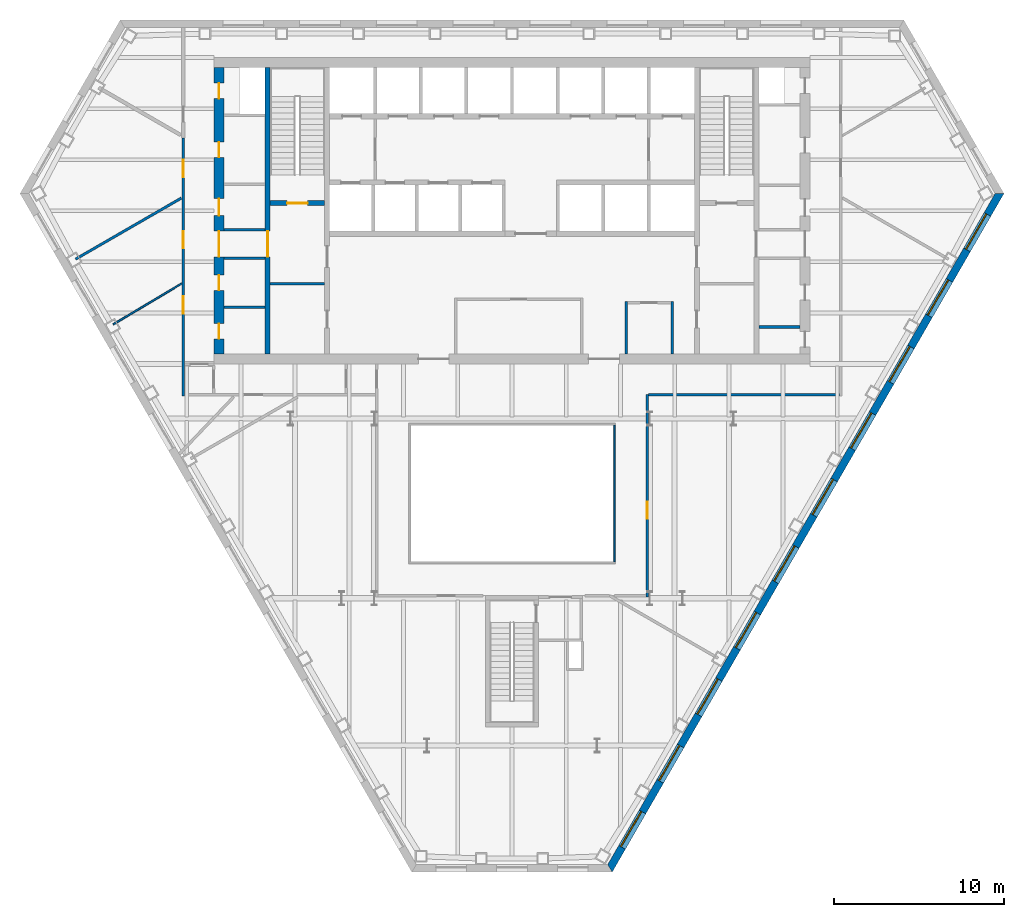
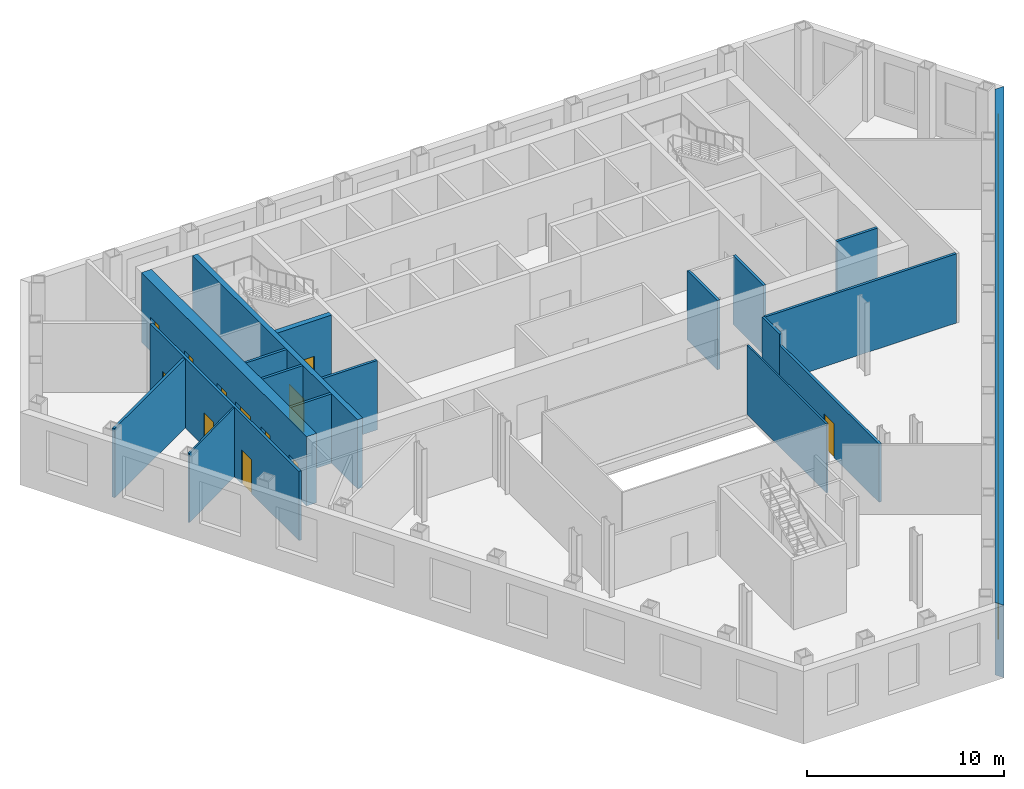
# One storey, part 5 of 11: 18 walls, 12 doors, 10 windows, 22 openings.
"""IFC4 building model written with IfcOpenShell, lengths in metres."""

from ifc_helpers import new_model, si_unit, direction, frame, frame_2d, origin, place, context, subcontext, project, spatial, polyline, rectangle, outline, extrude, material, layer, layer_set, type_object, element, fill, save


model = new_model("IFC4")

# Units and contexts
model_context = context("Model", 3, precision=1e-05, world=origin(), true_north=direction((0.0, 1.0)))
body_context = subcontext(model_context, "Body", "Model", "MODEL_VIEW")
ifc_project = project(units=[si_unit("LENGTHUNIT", "METRE"), si_unit("AREAUNIT", "SQUARE_METRE"), si_unit("VOLUMEUNIT", "CUBIC_METRE"), si_unit("PLANEANGLEUNIT", "RADIAN"), si_unit("MASSUNIT", "GRAM", prefix="KILO")], contexts=[model_context])

# Site, building, storey
site_placement = place(None, origin())
site = spatial("IfcSite", under=ifc_project, at=site_placement, CompositionType="ELEMENT")
building_placement = place(site_placement, origin())
building = spatial("IfcBuilding", under=site, at=building_placement, Name="Njiva Tower", CompositionType="ELEMENT")
storey_placement = place(building_placement, frame((0.0, 0.0, 37.8)))
storey = spatial("IfcBuildingStorey", under=building, at=storey_placement, Name="L07", CompositionType="ELEMENT", Elevation=37.8)

# Walls
ifc_material_1 = material(Name="Blockwork", Category="masonry")
ifc_layer_1 = layer(ifc_material_1, 0.15)
ifc_layer_set_1 = layer_set([ifc_layer_1], Name="Blockwork")
wall_type_1 = type_object("IfcWallType", Name="WT1 Compartment partition 150", PredefinedType="PARTITIONING", material=ifc_layer_set_1)
wall_1_placement = place(storey_placement, frame((-14.2, 4.725, 0.0), z_axis=(0.0, 0.0, 1.0), x_axis=(1.0, 0.0, 0.0)))
element("IfcWall", 1, at=wall_1_placement, inside=storey, type_object=wall_type_1, Name="Room wall A", PredefinedType="PARTITIONING", context=body_context, shape_type="SweptSolid", body=[
    extrude(rectangle(XDim=3.2, YDim=0.15, at=frame_2d((1.6, 0.0))), origin(), (0.0, 0.0, 1.0), 4.3),
])
for number, where, z_axis, x_axis, name in (
    (2, (-16.9, 3.3241, 0.0), (0.0, 0.0, 1.0), (1.0, 0.0, 0.0), "Partition strip W00"),
    (3, (14.5, 2.175, 0.0), (0.0, 0.0, 1.0), (1.0, 0.0, 0.0), "Partition strip E00"),
):
    element("IfcWall", number, at=place(storey_placement, frame(where, z_axis=z_axis, x_axis=x_axis)), inside=storey, type_object=wall_type_1, Name=name, PredefinedType="PARTITIONING", context=body_context, shape_type="SweptSolid", body=[
        extrude(rectangle(XDim=2.4, YDim=0.15, at=frame_2d((1.2, 0.0))), origin(), (0.0, 0.0, 1.0), 4.3),
    ])
for number, where, z_axis, x_axis, name in (
    (4, (6.7, 0.6, 0.0), (0.0, 0.0, 1.0), (0.0, 1.0, 0.0), "Tenant reception wall west"),
    (5, (9.4, 0.6, 0.0), (0.0, 0.0, 1.0), (0.0, 1.0, 0.0), "Tenant reception wall east"),
):
    element("IfcWall", number, at=place(storey_placement, frame(where, z_axis=z_axis, x_axis=x_axis)), inside=storey, type_object=wall_type_1, Name=name, PredefinedType="PARTITIONING", context=body_context, shape_type="SweptSolid", body=[
        extrude(rectangle(XDim=3.075, YDim=0.15, at=frame_2d((1.5375, 0.0))), origin(), (0.0, 0.0, 1.0), 4.3),
    ])

# Wall, opening, door
ifc_material_2 = material(Name="Concrete C40/50", Category="concrete")
ifc_layer_2 = layer(ifc_material_2, 0.3)
ifc_layer_set_2 = layer_set([ifc_layer_2], Name="Concrete C40/50")
wall_type_2 = type_object("IfcWallType", Name="WT10 Stair enclosure wall 300", PredefinedType="SHEAR", material=ifc_layer_set_2)
wall_2_placement = place(storey_placement, frame((-14.35, 0.6, 0.0), z_axis=(0.0, 0.0, 1.0), x_axis=(0.0, 1.0, 0.0)))
wall_2 = element("IfcWall", 6, at=wall_2_placement, inside=storey, type_object=wall_type_2, Name="Stair wall west outer", PredefinedType="SHEAR", context=body_context, shape_type="SweptSolid", body=[
    extrude(rectangle(XDim=16.8, YDim=0.3, at=frame_2d((8.4, 0.0))), origin(), (0.0, 0.0, 1.0), 4.3),
])
opening_1_placement = place(wall_2_placement, frame((5.7, 0.0, 0.0)))
opening_1 = element("IfcOpeningElement", 7, at=opening_1_placement, cuts=wall_2, Name="Opening S02-D920", PredefinedType="OPENING", context=body_context, shape_type="SweptSolid", body=[
    extrude(rectangle(XDim=1.5, YDim=2.1, at=frame_2d((0.75, 1.05))), frame((0.0, 0.16, 0.0), z_axis=(0.0, -1.0, 0.0), x_axis=(1.0, 0.0, 0.0)), (0.0, 0.0, 1.0), 0.32),
])
ifc_material_3 = material(Name="Glazed steel fire door", Category="steel")
door_type_1 = type_object("IfcDoorType", Name="D10 Exit door double 1500x2100 glazed", OperationType="DOUBLE_DOOR_SINGLE_SWING", PredefinedType="DOOR", material=ifc_material_3)
door_1_placement = place(opening_1_placement, origin())
door_1 = element("IfcDoor", 8, at=door_1_placement, inside=storey, type_object=door_type_1, Name="Stair A passage door", OperationType="DOUBLE_DOOR_SINGLE_SWING", OverallHeight=2.1, OverallWidth=1.5, PredefinedType="DOOR", context=body_context, shape_type="SweptSolid", body=[
    extrude(rectangle(XDim=1.5, YDim=2.1, at=frame_2d((0.75, 1.05))), frame((0.0, 0.025, 0.0), z_axis=(0.0, -1.0, 0.0), x_axis=(1.0, 0.0, 0.0)), (0.0, 0.0, 1.0), 0.05),
])
fill(opening_1, door_1)

wall_3_placement = place(storey_placement, frame((-14.2, 9.45, 0.0), z_axis=(0.0, 0.0, 1.0), x_axis=(1.0, 0.0, 0.0)))
wall_3 = element("IfcWall", 9, at=wall_3_placement, inside=storey, type_object=wall_type_2, Name="Stair A south wall", PredefinedType="SHEAR", context=body_context, shape_type="SweptSolid", body=[
    extrude(rectangle(XDim=3.2, YDim=0.3, at=frame_2d((1.6, 0.0))), origin(), (0.0, 0.0, 1.0), 4.3),
])
opening_2_placement = place(wall_3_placement, frame((1.0, 0.0, 0.0)))
opening_2 = element("IfcOpeningElement", 10, at=opening_2_placement, cuts=wall_3, Name="Opening S02-D913", PredefinedType="OPENING", context=body_context, shape_type="SweptSolid", body=[
    extrude(rectangle(XDim=1.2, YDim=2.1, at=frame_2d((0.6, 1.05))), frame((0.0, 0.16, 0.0), z_axis=(0.0, -1.0, 0.0), x_axis=(1.0, 0.0, 0.0)), (0.0, 0.0, 1.0), 0.32),
])
door_type_2 = type_object("IfcDoorType", Name="D7 Stair vestibule door 1200x2100 glazed", OperationType="SINGLE_SWING_LEFT", PredefinedType="DOOR", material=ifc_material_3)
door_2_placement = place(opening_2_placement, origin())
door_2 = element("IfcDoor", 11, at=door_2_placement, inside=storey, type_object=door_type_2, Name="Stair A door", OperationType="SINGLE_SWING_LEFT", OverallHeight=2.1, OverallWidth=1.2, PredefinedType="DOOR", context=body_context, shape_type="SweptSolid", body=[
    extrude(rectangle(XDim=1.2, YDim=2.1, at=frame_2d((0.6, 1.05))), frame((0.0, 0.025, 0.0), z_axis=(0.0, -1.0, 0.0), x_axis=(1.0, 0.0, 0.0)), (0.0, 0.0, 1.0), 0.05),
])
fill(opening_2, door_2)

# Wall, openings, doors
ifc_material_4 = material(Name="Concrete C60/75", Category="concrete")
ifc_layer_3 = layer(ifc_material_4, 0.6)
ifc_layer_set_3 = layer_set([ifc_layer_3], Name="Concrete C60/75")
wall_type_3 = type_object("IfcWallType", Name="WT15 Core wall 600", PredefinedType="SHEAR", material=ifc_layer_set_3)
wall_4_placement = place(storey_placement, frame((-17.2, 0.6, 0.0), z_axis=(0.0, 0.0, 1.0), x_axis=(0.0, 1.0, 0.0)))
wall_4 = element("IfcWall", 12, at=wall_4_placement, inside=storey, type_object=wall_type_3, Name="Core wall west", PredefinedType="SHEAR", context=body_context, shape_type="SweptSolid", body=[
    extrude(rectangle(XDim=16.8, YDim=0.6, at=frame_2d((8.4, 0.0))), origin(), (0.0, 0.0, 1.0), 4.3),
])
opening_3_placement = place(wall_4_placement, frame((5.7, 0.0, 0.0)))
opening_3 = element("IfcOpeningElement", 13, at=opening_3_placement, cuts=wall_4, Name="Opening S02-D921", PredefinedType="OPENING", context=body_context, shape_type="SweptSolid", body=[
    extrude(rectangle(XDim=1.5, YDim=2.1, at=frame_2d((0.75, 1.05))), frame((0.0, 0.31, 0.0), z_axis=(0.0, -1.0, 0.0), x_axis=(1.0, 0.0, 0.0)), (0.0, 0.0, 1.0), 0.62),
])
opening_4_placement = place(wall_4_placement, frame((0.8745, 0.0, 0.0)))
opening_4 = element("IfcOpeningElement", 14, at=opening_4_placement, cuts=wall_4, Name="Opening S02-D922", PredefinedType="OPENING", context=body_context, shape_type="SweptSolid", body=[
    extrude(rectangle(XDim=0.9, YDim=2.1, at=frame_2d((0.45, 1.05))), frame((0.0, 0.31, 0.0), z_axis=(0.0, -1.0, 0.0), x_axis=(1.0, 0.0, 0.0)), (0.0, 0.0, 1.0), 0.62),
])
opening_5_placement = place(wall_4_placement, frame((3.7245, 0.0, 0.0)))
opening_5 = element("IfcOpeningElement", 15, at=opening_5_placement, cuts=wall_4, Name="Opening S02-D923", PredefinedType="OPENING", context=body_context, shape_type="SweptSolid", body=[
    extrude(rectangle(XDim=0.9, YDim=2.1, at=frame_2d((0.45, 1.05))), frame((0.0, 0.31, 0.0), z_axis=(0.0, -1.0, 0.0), x_axis=(1.0, 0.0, 0.0)), (0.0, 0.0, 1.0), 0.62),
])
opening_6_placement = place(wall_4_placement, frame((8.1154, 0.0, 0.0)))
opening_6 = element("IfcOpeningElement", 16, at=opening_6_placement, cuts=wall_4, Name="Opening S02-D924", PredefinedType="OPENING", context=body_context, shape_type="SweptSolid", body=[
    extrude(rectangle(XDim=1.0, YDim=2.1, at=frame_2d((0.5, 1.05))), frame((0.0, 0.31, 0.0), z_axis=(0.0, -1.0, 0.0), x_axis=(1.0, 0.0, 0.0)), (0.0, 0.0, 1.0), 0.62),
])
opening_7_placement = place(wall_4_placement, frame((11.5277, 0.0, 0.0)))
opening_7 = element("IfcOpeningElement", 17, at=opening_7_placement, cuts=wall_4, Name="Opening S02-D925", PredefinedType="OPENING", context=body_context, shape_type="SweptSolid", body=[
    extrude(rectangle(XDim=0.9, YDim=2.1, at=frame_2d((0.45, 1.05))), frame((0.0, 0.31, 0.0), z_axis=(0.0, -1.0, 0.0), x_axis=(1.0, 0.0, 0.0)), (0.0, 0.0, 1.0), 0.62),
])
opening_8_placement = place(wall_4_placement, frame((14.9872, 0.0, 0.0)))
opening_8 = element("IfcOpeningElement", 18, at=opening_8_placement, cuts=wall_4, Name="Opening S02-D926", PredefinedType="OPENING", context=body_context, shape_type="SweptSolid", body=[
    extrude(rectangle(XDim=0.9, YDim=2.1, at=frame_2d((0.45, 1.05))), frame((0.0, 0.31, 0.0), z_axis=(0.0, -1.0, 0.0), x_axis=(1.0, 0.0, 0.0)), (0.0, 0.0, 1.0), 0.62),
])
door_3_placement = place(opening_3_placement, origin())
door_3 = element("IfcDoor", 19, at=door_3_placement, inside=storey, type_object=door_type_1, Name="Stair A corridor door", OperationType="DOUBLE_DOOR_SINGLE_SWING", OverallHeight=2.1, OverallWidth=1.5, PredefinedType="DOOR", context=body_context, shape_type="SweptSolid", body=[
    extrude(rectangle(XDim=1.5, YDim=2.1, at=frame_2d((0.75, 1.05))), frame((0.0, 0.025, 0.0), z_axis=(0.0, -1.0, 0.0), x_axis=(1.0, 0.0, 0.0)), (0.0, 0.0, 1.0), 0.05),
])
fill(opening_3, door_3)
ifc_material_5 = material(Name="Steel door, painted", Category="steel")
door_type_3 = type_object("IfcDoorType", Name="D4 Riser door 900x2100", OperationType="SINGLE_SWING_LEFT", PredefinedType="DOOR", material=ifc_material_5)
door_4_placement = place(opening_8_placement, origin())
door_4 = element("IfcDoor", 20, at=door_4_placement, inside=storey, type_object=door_type_3, Name="Riser door", OperationType="SINGLE_SWING_LEFT", OverallHeight=2.1, OverallWidth=0.9, PredefinedType="DOOR", context=body_context, shape_type="SweptSolid", body=[
    extrude(rectangle(XDim=0.9, YDim=2.1, at=frame_2d((0.45, 1.05))), frame((0.0, 0.025, 0.0), z_axis=(0.0, -1.0, 0.0), x_axis=(1.0, 0.0, 0.0)), (0.0, 0.0, 1.0), 0.05),
])
fill(opening_8, door_4)
door_type_4 = type_object("IfcDoorType", Name="D5 Steel door 1000x2100", OperationType="SINGLE_SWING_LEFT", PredefinedType="DOOR", material=ifc_material_5)
door_5_placement = place(opening_6_placement, origin())
door_5 = element("IfcDoor", 21, at=door_5_placement, inside=storey, type_object=door_type_4, Name="Telecoms room door", OperationType="SINGLE_SWING_RIGHT", OverallHeight=2.1, OverallWidth=1.0, PredefinedType="DOOR", context=body_context, shape_type="SweptSolid", body=[
    extrude(rectangle(XDim=1.0, YDim=2.1, at=frame_2d((0.5, 1.05))), frame((0.0, 0.025, 0.0), z_axis=(0.0, -1.0, 0.0), x_axis=(1.0, 0.0, 0.0)), (0.0, 0.0, 1.0), 0.05),
])
fill(opening_6, door_5)
ifc_material_6 = material(Name="Steel fire door, painted", Category="steel")
door_type_5 = type_object("IfcDoorType", Name="D6 Fire-rated door 900x2100", OperationType="SINGLE_SWING_LEFT", PredefinedType="DOOR", material=ifc_material_6)
door_6_placement = place(opening_4_placement, origin())
door_6 = element("IfcDoor", 22, at=door_6_placement, inside=storey, type_object=door_type_5, Name="Meeting room door", OperationType="SINGLE_SWING_LEFT", OverallHeight=2.1, OverallWidth=0.9, PredefinedType="DOOR", context=body_context, shape_type="SweptSolid", body=[
    extrude(rectangle(XDim=0.9, YDim=2.1, at=frame_2d((0.45, 1.05))), frame((0.0, 0.025, 0.0), z_axis=(0.0, -1.0, 0.0), x_axis=(1.0, 0.0, 0.0)), (0.0, 0.0, 1.0), 0.05),
])
fill(opening_4, door_6)
door_7_placement = place(opening_5_placement, origin())
door_7 = element("IfcDoor", 23, at=door_7_placement, inside=storey, type_object=door_type_5, Name="Breakout room door", OperationType="SINGLE_SWING_LEFT", OverallHeight=2.1, OverallWidth=0.9, PredefinedType="DOOR", context=body_context, shape_type="SweptSolid", body=[
    extrude(rectangle(XDim=0.9, YDim=2.1, at=frame_2d((0.45, 1.05))), frame((0.0, 0.025, 0.0), z_axis=(0.0, -1.0, 0.0), x_axis=(1.0, 0.0, 0.0)), (0.0, 0.0, 1.0), 0.05),
])
fill(opening_5, door_7)
door_8_placement = place(opening_7_placement, origin())
door_8 = element("IfcDoor", 24, at=door_8_placement, inside=storey, type_object=door_type_5, Name="Quiet room door", OperationType="SINGLE_SWING_RIGHT", OverallHeight=2.1, OverallWidth=0.9, PredefinedType="DOOR", context=body_context, shape_type="SweptSolid", body=[
    extrude(rectangle(XDim=0.9, YDim=2.1, at=frame_2d((0.45, 1.05))), frame((0.0, 0.025, 0.0), z_axis=(0.0, -1.0, 0.0), x_axis=(1.0, 0.0, 0.0)), (0.0, 0.0, 1.0), 0.05),
])
fill(opening_7, door_8)

# Walls
ifc_material_7 = material(Name="Gypsum board on steel studs", Category="gypsum")
ifc_layer_4 = layer(ifc_material_7, 0.1)
ifc_layer_set_4 = layer_set([ifc_layer_4], Name="Gypsum board on steel studs")
wall_type_4 = type_object("IfcWallType", Name="WT20 Gypsum partition 100", PredefinedType="PARTITIONING", material=ifc_layer_set_4)
wall_5_placement = place(storey_placement, frame((-23.41, 2.331, 0.0), z_axis=(0.0, 0.0, 1.0), x_axis=(0.858568146325, 0.512699461786, 0.0)))
element("IfcWall", 25, at=wall_5_placement, inside=storey, type_object=wall_type_4, Name="Partition S02-P003", PredefinedType="PARTITIONING", context=body_context, shape_type="SweptSolid", body=[
    extrude(rectangle(XDim=4.6694, YDim=0.1, at=frame_2d((2.3347, 0.0))), origin(), (0.0, 0.0, 1.0), 4.3),
])
ifc_layer_5 = layer(ifc_material_7, 0.15)
ifc_layer_set_5 = layer_set([ifc_layer_5], Name="Gypsum board on steel studs")
wall_type_5 = type_object("IfcWallType", Name="WT21 Compartment wall 150", PredefinedType="PARTITIONING", material=ifc_layer_set_5)
wall_6_placement = place(storey_placement, frame((-25.62, 6.161, 0.0), z_axis=(0.0, 0.0, 1.0), x_axis=(0.866036909293, 0.499980071345, 0.0)))
element("IfcWall", 26, at=wall_6_placement, inside=storey, type_object=wall_type_5, Name="Partition S02-P001", PredefinedType="PARTITIONING", context=body_context, shape_type="SweptSolid", body=[
    extrude(rectangle(XDim=7.1683, YDim=0.15, at=frame_2d((3.5842, 0.0))), origin(), (0.0, 0.0, 1.0), 4.3),
])

# Wall, openings, doors
wall_7_placement = place(storey_placement, frame((-19.3, -1.875, 0.0), z_axis=(0.0, 0.0, 1.0), x_axis=(0.0, 1.0, 0.0)))
wall_7 = element("IfcWall", 27, at=wall_7_placement, inside=storey, type_object=wall_type_5, Name="Partition S02-P005", PredefinedType="PARTITIONING", context=body_context, shape_type="SweptSolid", body=[
    extrude(rectangle(XDim=15.133, YDim=0.15, at=frame_2d((7.5665, 0.0))), origin(), (0.0, 0.0, 1.0), 4.3),
])
opening_9_placement = place(wall_7_placement, frame((4.842, 0.0, 0.0)))
opening_9 = element("IfcOpeningElement", 28, at=opening_9_placement, cuts=wall_7, Name="Opening S02-D001", PredefinedType="OPENING", context=body_context, shape_type="SweptSolid", body=[
    extrude(rectangle(XDim=1.0, YDim=2.1, at=frame_2d((0.5, 1.05))), frame((0.0, 0.085, 0.0), z_axis=(0.0, -1.0, 0.0), x_axis=(1.0, 0.0, 0.0)), (0.0, 0.0, 1.0), 0.17),
])
opening_10_placement = place(wall_7_placement, frame((8.671, 0.0, 0.0)))
opening_10 = element("IfcOpeningElement", 29, at=opening_10_placement, cuts=wall_7, Name="Opening S02-D002", PredefinedType="OPENING", context=body_context, shape_type="SweptSolid", body=[
    extrude(rectangle(XDim=1.0, YDim=2.1, at=frame_2d((0.5, 1.05))), frame((0.0, 0.085, 0.0), z_axis=(0.0, -1.0, 0.0), x_axis=(1.0, 0.0, 0.0)), (0.0, 0.0, 1.0), 0.17),
])
opening_11_placement = place(wall_7_placement, frame((12.857, 0.0, 0.0)))
opening_11 = element("IfcOpeningElement", 30, at=opening_11_placement, cuts=wall_7, Name="Opening S02-D003", PredefinedType="OPENING", context=body_context, shape_type="SweptSolid", body=[
    extrude(rectangle(XDim=1.0, YDim=2.1, at=frame_2d((0.5, 1.05))), frame((0.0, 0.085, 0.0), z_axis=(0.0, -1.0, 0.0), x_axis=(1.0, 0.0, 0.0)), (0.0, 0.0, 1.0), 0.17),
])
ifc_material_8 = material(Name="Steel fire door set", Category="steel")
door_type_6 = type_object("IfcDoorType", Name="D37 Fire door 1000x2100", OperationType="SINGLE_SWING_LEFT", PredefinedType="DOOR", material=ifc_material_8)
door_9_placement = place(opening_9_placement, origin())
door_9 = element("IfcDoor", 31, at=door_9_placement, inside=storey, type_object=door_type_6, Name="Door S02-D001", OperationType="SINGLE_SWING_RIGHT", OverallHeight=2.1, OverallWidth=1.0, PredefinedType="DOOR", context=body_context, shape_type="SweptSolid", body=[
    extrude(rectangle(XDim=1.0, YDim=2.1, at=frame_2d((0.5, 1.05))), frame((0.0, 0.025, 0.0), z_axis=(0.0, -1.0, 0.0), x_axis=(1.0, 0.0, 0.0)), (0.0, 0.0, 1.0), 0.05),
])
fill(opening_9, door_9)
door_10_placement = place(opening_10_placement, origin())
door_10 = element("IfcDoor", 32, at=door_10_placement, inside=storey, type_object=door_type_6, Name="Door S02-D002", OperationType="SINGLE_SWING_LEFT", OverallHeight=2.1, OverallWidth=1.0, PredefinedType="DOOR", context=body_context, shape_type="SweptSolid", body=[
    extrude(rectangle(XDim=1.0, YDim=2.1, at=frame_2d((0.5, 1.05))), frame((0.0, 0.025, 0.0), z_axis=(0.0, -1.0, 0.0), x_axis=(1.0, 0.0, 0.0)), (0.0, 0.0, 1.0), 0.05),
])
fill(opening_10, door_10)
door_11_placement = place(opening_11_placement, origin())
door_11 = element("IfcDoor", 33, at=door_11_placement, inside=storey, type_object=door_type_6, Name="Door S02-D003", OperationType="SINGLE_SWING_LEFT", OverallHeight=2.1, OverallWidth=1.0, PredefinedType="DOOR", context=body_context, shape_type="SweptSolid", body=[
    extrude(rectangle(XDim=1.0, YDim=2.1, at=frame_2d((0.5, 1.05))), frame((0.0, 0.025, 0.0), z_axis=(0.0, -1.0, 0.0), x_axis=(1.0, 0.0, 0.0)), (0.0, 0.0, 1.0), 0.05),
])
fill(opening_11, door_11)

# Wall, opening, door
wall_8_placement = place(storey_placement, frame((7.94, -13.675, 0.0), z_axis=(0.0, 0.0, 1.0), x_axis=(0.0, 1.0, 0.0)))
wall_8 = element("IfcWall", 34, at=wall_8_placement, inside=storey, type_object=wall_type_5, Name="Partition S02-P017", PredefinedType="PARTITIONING", context=body_context, shape_type="SweptSolid", body=[
    extrude(rectangle(XDim=10.118, YDim=0.15, at=frame_2d((5.059, 0.0))), origin(), (0.0, 0.0, 1.0), 3.61),
])
opening_12_placement = place(wall_8_placement, frame((4.581, 0.0, 0.0)))
opening_12 = element("IfcOpeningElement", 35, at=opening_12_placement, cuts=wall_8, Name="Opening S02-D011", PredefinedType="OPENING", context=body_context, shape_type="SweptSolid", body=[
    extrude(rectangle(XDim=1.0, YDim=2.1, at=frame_2d((0.5, 1.05))), frame((0.0, 0.085, 0.0), z_axis=(0.0, -1.0, 0.0), x_axis=(1.0, 0.0, 0.0)), (0.0, 0.0, 1.0), 0.17),
])
door_12_placement = place(opening_12_placement, origin())
door_12 = element("IfcDoor", 36, at=door_12_placement, inside=storey, type_object=door_type_6, Name="Door S02-D011", OperationType="SINGLE_SWING_RIGHT", OverallHeight=2.1, OverallWidth=1.0, PredefinedType="DOOR", context=body_context, shape_type="SweptSolid", body=[
    extrude(rectangle(XDim=1.0, YDim=2.1, at=frame_2d((0.5, 1.05))), frame((0.0, 0.025, 0.0), z_axis=(0.0, -1.0, 0.0), x_axis=(1.0, 0.0, 0.0)), (0.0, 0.0, 1.0), 0.05),
])
fill(opening_12, door_12)

# Walls
wall_9_placement = place(storey_placement, frame((7.94, -3.557, 0.0), z_axis=(0.0, 0.0, 1.0), x_axis=(0.0, 1.0, 0.0)))
element("IfcWall", 37, at=wall_9_placement, inside=storey, type_object=wall_type_5, Name="Partition S02-P017A", PredefinedType="PARTITIONING", context=body_context, shape_type="SweptSolid", body=[
    extrude(rectangle(XDim=1.768, YDim=0.15, at=frame_2d((0.884, 0.0))), origin(), (0.0, 0.0, 1.0), 4.3),
])
wall_10_placement = place(storey_placement, frame((8.015, -1.8, 0.0), z_axis=(0.0, 0.0, 1.0), x_axis=(1.0, 0.0, 0.0)))
element("IfcWall", 38, at=wall_10_placement, inside=storey, type_object=wall_type_5, Name="Partition S02-P018", PredefinedType="PARTITIONING", context=body_context, shape_type="SweptSolid", body=[
    extrude(rectangle(XDim=11.21, YDim=0.15, at=frame_2d((5.605, 0.0))), origin(), (0.0, 0.0, 1.0), 4.3),
])
ifc_layer_6 = layer(ifc_material_1, 0.15)
ifc_layer_set_6 = layer_set([ifc_layer_6], Name="Blockwork")
wall_type_6 = type_object("IfcWallType", Name="WT4 Stair partition 150", PredefinedType="PARTITIONING", material=ifc_layer_set_6)
for number, where, z_axis, x_axis, name in (
    (39, (-16.9, 6.225, 0.0), (0.0, 0.0, 1.0), (1.0, 0.0, 0.0), "Stair A exit passage wall south"),
    (40, (-16.9, 7.875, 0.0), (0.0, 0.0, 1.0), (1.0, 0.0, 0.0), "Stair A exit passage wall north"),
):
    element("IfcWall", number, at=place(storey_placement, frame(where, z_axis=z_axis, x_axis=x_axis)), inside=storey, type_object=wall_type_6, Name=name, PredefinedType="PARTITIONING", context=body_context, shape_type="SweptSolid", body=[
        extrude(rectangle(XDim=2.4, YDim=0.15, at=frame_2d((1.2, 0.0))), origin(), (0.0, 0.0, 1.0), 4.3),
    ])

# Wall, openings, windows
ifc_material_9 = material(Name="Brick masonry", Category="masonry")
ifc_layer_7 = layer(ifc_material_9, 0.45)
ifc_layer_set_7 = layer_set([ifc_layer_7], Name="Brick masonry")
wall_type_7 = type_object("IfcWallType", Name="WT90 Brick pier and spandrel wall 450", PredefinedType="SOLIDWALL", material=ifc_layer_set_7)
wall_11_placement = place(storey_placement, frame((5.7501, -29.6053, -0.4), z_axis=(0.0, 0.0, 1.0), x_axis=(0.500000335318, 0.866025210188, 0.0)))
wall_11 = element("IfcWall", 41, at=wall_11_placement, inside=storey, type_object=wall_type_7, Name="Facade wall SE", PredefinedType="SOLIDWALL", context=body_context, shape_type="SweptSolid", body=[
    extrude(outline(polyline([(-0.1299, -0.225), (45.8801, -0.225), (45.6203, 0.225), (0.1299, 0.225), (-0.1299, -0.225)])), origin(), (0.0, 0.0, 1.0), 4.5),
])
opening_13_placement = place(wall_11_placement, frame((1.4247, 0.0, 1.3)))
opening_13 = element("IfcOpeningElement", 42, at=opening_13_placement, cuts=wall_11, Name="Opening S02-W25", PredefinedType="OPENING", context=body_context, shape_type="SweptSolid", body=[
    extrude(rectangle(XDim=2.4, YDim=2.6, at=frame_2d((1.2, 1.3))), frame((0.0, 0.235, 0.0), z_axis=(0.0, -1.0, 0.0), x_axis=(1.0, 0.0, 0.0)), (0.0, 0.0, 1.0), 0.47),
])
opening_14_placement = place(wall_11_placement, frame((5.8949, 0.0, 1.3)))
opening_14 = element("IfcOpeningElement", 43, at=opening_14_placement, cuts=wall_11, Name="Opening S02-W26", PredefinedType="OPENING", context=body_context, shape_type="SweptSolid", body=[
    extrude(rectangle(XDim=2.4, YDim=2.6, at=frame_2d((1.2, 1.3))), frame((0.0, 0.235, 0.0), z_axis=(0.0, -1.0, 0.0), x_axis=(1.0, 0.0, 0.0)), (0.0, 0.0, 1.0), 0.47),
])
opening_15_placement = place(wall_11_placement, frame((10.4035, 0.0, 1.3)))
opening_15 = element("IfcOpeningElement", 44, at=opening_15_placement, cuts=wall_11, Name="Opening S02-W27", PredefinedType="OPENING", context=body_context, shape_type="SweptSolid", body=[
    extrude(rectangle(XDim=2.4, YDim=2.6, at=frame_2d((1.2, 1.3))), frame((0.0, 0.235, 0.0), z_axis=(0.0, -1.0, 0.0), x_axis=(1.0, 0.0, 0.0)), (0.0, 0.0, 1.0), 0.47),
])
opening_16_placement = place(wall_11_placement, frame((14.9122, 0.0, 1.3)))
opening_16 = element("IfcOpeningElement", 45, at=opening_16_placement, cuts=wall_11, Name="Opening S02-W28", PredefinedType="OPENING", context=body_context, shape_type="SweptSolid", body=[
    extrude(rectangle(XDim=2.4, YDim=2.6, at=frame_2d((1.2, 1.3))), frame((0.0, 0.235, 0.0), z_axis=(0.0, -1.0, 0.0), x_axis=(1.0, 0.0, 0.0)), (0.0, 0.0, 1.0), 0.47),
])
opening_17_placement = place(wall_11_placement, frame((19.4208, 0.0, 1.3)))
opening_17 = element("IfcOpeningElement", 46, at=opening_17_placement, cuts=wall_11, Name="Opening S02-W29", PredefinedType="OPENING", context=body_context, shape_type="SweptSolid", body=[
    extrude(rectangle(XDim=2.4, YDim=2.6, at=frame_2d((1.2, 1.3))), frame((0.0, 0.235, 0.0), z_axis=(0.0, -1.0, 0.0), x_axis=(1.0, 0.0, 0.0)), (0.0, 0.0, 1.0), 0.47),
])
opening_18_placement = place(wall_11_placement, frame((23.9294, 0.0, 1.3)))
opening_18 = element("IfcOpeningElement", 47, at=opening_18_placement, cuts=wall_11, Name="Opening S02-W30", PredefinedType="OPENING", context=body_context, shape_type="SweptSolid", body=[
    extrude(rectangle(XDim=2.4, YDim=2.6, at=frame_2d((1.2, 1.3))), frame((0.0, 0.235, 0.0), z_axis=(0.0, -1.0, 0.0), x_axis=(1.0, 0.0, 0.0)), (0.0, 0.0, 1.0), 0.47),
])
opening_19_placement = place(wall_11_placement, frame((28.438, 0.0, 1.3)))
opening_19 = element("IfcOpeningElement", 48, at=opening_19_placement, cuts=wall_11, Name="Opening S02-W31", PredefinedType="OPENING", context=body_context, shape_type="SweptSolid", body=[
    extrude(rectangle(XDim=2.4, YDim=2.6, at=frame_2d((1.2, 1.3))), frame((0.0, 0.235, 0.0), z_axis=(0.0, -1.0, 0.0), x_axis=(1.0, 0.0, 0.0)), (0.0, 0.0, 1.0), 0.47),
])
opening_20_placement = place(wall_11_placement, frame((32.9466, 0.0, 1.3)))
opening_20 = element("IfcOpeningElement", 49, at=opening_20_placement, cuts=wall_11, Name="Opening S02-W32", PredefinedType="OPENING", context=body_context, shape_type="SweptSolid", body=[
    extrude(rectangle(XDim=2.4, YDim=2.6, at=frame_2d((1.2, 1.3))), frame((0.0, 0.235, 0.0), z_axis=(0.0, -1.0, 0.0), x_axis=(1.0, 0.0, 0.0)), (0.0, 0.0, 1.0), 0.47),
])
opening_21_placement = place(wall_11_placement, frame((37.4553, 0.0, 1.3)))
opening_21 = element("IfcOpeningElement", 50, at=opening_21_placement, cuts=wall_11, Name="Opening S02-W33", PredefinedType="OPENING", context=body_context, shape_type="SweptSolid", body=[
    extrude(rectangle(XDim=2.4, YDim=2.6, at=frame_2d((1.2, 1.3))), frame((0.0, 0.235, 0.0), z_axis=(0.0, -1.0, 0.0), x_axis=(1.0, 0.0, 0.0)), (0.0, 0.0, 1.0), 0.47),
])
opening_22_placement = place(wall_11_placement, frame((41.9255, 0.0, 1.3)))
opening_22 = element("IfcOpeningElement", 51, at=opening_22_placement, cuts=wall_11, Name="Opening S02-W34", PredefinedType="OPENING", context=body_context, shape_type="SweptSolid", body=[
    extrude(rectangle(XDim=2.4, YDim=2.6, at=frame_2d((1.2, 1.3))), frame((0.0, 0.235, 0.0), z_axis=(0.0, -1.0, 0.0), x_axis=(1.0, 0.0, 0.0)), (0.0, 0.0, 1.0), 0.47),
])
ifc_material_10 = material(Name="Clear glazing in aluminium frame", Category="aluminium")
window_type = type_object("IfcWindowType", Name="W92 Deep-set window 2400x2600", PartitioningType="SINGLE_PANEL", PredefinedType="WINDOW", material=ifc_material_10)
window_1_placement = place(opening_13_placement, origin())
window_1 = element("IfcWindow", 52, at=window_1_placement, inside=storey, type_object=window_type, Name="Window", OverallHeight=2.6, OverallWidth=2.4, PartitioningType="SINGLE_PANEL", PredefinedType="WINDOW", context=body_context, shape_type="SweptSolid", body=[
    extrude(rectangle(XDim=2.4, YDim=2.6, at=frame_2d((1.2, 1.3))), frame((0.0, 0.105, 0.0), z_axis=(0.0, -1.0, 0.0), x_axis=(1.0, 0.0, 0.0)), (0.0, 0.0, 1.0), 0.06),
])
fill(opening_13, window_1)
window_2_placement = place(opening_14_placement, origin())
window_2 = element("IfcWindow", 53, at=window_2_placement, inside=storey, type_object=window_type, Name="Window", OverallHeight=2.6, OverallWidth=2.4, PartitioningType="SINGLE_PANEL", PredefinedType="WINDOW", context=body_context, shape_type="SweptSolid", body=[
    extrude(rectangle(XDim=2.4, YDim=2.6, at=frame_2d((1.2, 1.3))), frame((0.0, 0.105, 0.0), z_axis=(0.0, -1.0, 0.0), x_axis=(1.0, 0.0, 0.0)), (0.0, 0.0, 1.0), 0.06),
])
fill(opening_14, window_2)
window_3_placement = place(opening_15_placement, origin())
window_3 = element("IfcWindow", 54, at=window_3_placement, inside=storey, type_object=window_type, Name="Window", OverallHeight=2.6, OverallWidth=2.4, PartitioningType="SINGLE_PANEL", PredefinedType="WINDOW", context=body_context, shape_type="SweptSolid", body=[
    extrude(rectangle(XDim=2.4, YDim=2.6, at=frame_2d((1.2, 1.3))), frame((0.0, 0.105, 0.0), z_axis=(0.0, -1.0, 0.0), x_axis=(1.0, 0.0, 0.0)), (0.0, 0.0, 1.0), 0.06),
])
fill(opening_15, window_3)
window_4_placement = place(opening_16_placement, origin())
window_4 = element("IfcWindow", 55, at=window_4_placement, inside=storey, type_object=window_type, Name="Window", OverallHeight=2.6, OverallWidth=2.4, PartitioningType="SINGLE_PANEL", PredefinedType="WINDOW", context=body_context, shape_type="SweptSolid", body=[
    extrude(rectangle(XDim=2.4, YDim=2.6, at=frame_2d((1.2, 1.3))), frame((0.0, 0.105, 0.0), z_axis=(0.0, -1.0, 0.0), x_axis=(1.0, 0.0, 0.0)), (0.0, 0.0, 1.0), 0.06),
])
fill(opening_16, window_4)
window_5_placement = place(opening_17_placement, origin())
window_5 = element("IfcWindow", 56, at=window_5_placement, inside=storey, type_object=window_type, Name="Window", OverallHeight=2.6, OverallWidth=2.4, PartitioningType="SINGLE_PANEL", PredefinedType="WINDOW", context=body_context, shape_type="SweptSolid", body=[
    extrude(rectangle(XDim=2.4, YDim=2.6, at=frame_2d((1.2, 1.3))), frame((0.0, 0.105, 0.0), z_axis=(0.0, -1.0, 0.0), x_axis=(1.0, 0.0, 0.0)), (0.0, 0.0, 1.0), 0.06),
])
fill(opening_17, window_5)
window_6_placement = place(opening_18_placement, origin())
window_6 = element("IfcWindow", 57, at=window_6_placement, inside=storey, type_object=window_type, Name="Window", OverallHeight=2.6, OverallWidth=2.4, PartitioningType="SINGLE_PANEL", PredefinedType="WINDOW", context=body_context, shape_type="SweptSolid", body=[
    extrude(rectangle(XDim=2.4, YDim=2.6, at=frame_2d((1.2, 1.3))), frame((0.0, 0.105, 0.0), z_axis=(0.0, -1.0, 0.0), x_axis=(1.0, 0.0, 0.0)), (0.0, 0.0, 1.0), 0.06),
])
fill(opening_18, window_6)
window_7_placement = place(opening_19_placement, origin())
window_7 = element("IfcWindow", 58, at=window_7_placement, inside=storey, type_object=window_type, Name="Window", OverallHeight=2.6, OverallWidth=2.4, PartitioningType="SINGLE_PANEL", PredefinedType="WINDOW", context=body_context, shape_type="SweptSolid", body=[
    extrude(rectangle(XDim=2.4, YDim=2.6, at=frame_2d((1.2, 1.3))), frame((0.0, 0.105, 0.0), z_axis=(0.0, -1.0, 0.0), x_axis=(1.0, 0.0, 0.0)), (0.0, 0.0, 1.0), 0.06),
])
fill(opening_19, window_7)
window_8_placement = place(opening_20_placement, origin())
window_8 = element("IfcWindow", 59, at=window_8_placement, inside=storey, type_object=window_type, Name="Window", OverallHeight=2.6, OverallWidth=2.4, PartitioningType="SINGLE_PANEL", PredefinedType="WINDOW", context=body_context, shape_type="SweptSolid", body=[
    extrude(rectangle(XDim=2.4, YDim=2.6, at=frame_2d((1.2, 1.3))), frame((0.0, 0.105, 0.0), z_axis=(0.0, -1.0, 0.0), x_axis=(1.0, 0.0, 0.0)), (0.0, 0.0, 1.0), 0.06),
])
fill(opening_20, window_8)
window_9_placement = place(opening_21_placement, origin())
window_9 = element("IfcWindow", 60, at=window_9_placement, inside=storey, type_object=window_type, Name="Window", OverallHeight=2.6, OverallWidth=2.4, PartitioningType="SINGLE_PANEL", PredefinedType="WINDOW", context=body_context, shape_type="SweptSolid", body=[
    extrude(rectangle(XDim=2.4, YDim=2.6, at=frame_2d((1.2, 1.3))), frame((0.0, 0.105, 0.0), z_axis=(0.0, -1.0, 0.0), x_axis=(1.0, 0.0, 0.0)), (0.0, 0.0, 1.0), 0.06),
])
fill(opening_21, window_9)
window_10_placement = place(opening_22_placement, origin())
window_10 = element("IfcWindow", 61, at=window_10_placement, inside=storey, type_object=window_type, Name="Window", OverallHeight=2.6, OverallWidth=2.4, PartitioningType="SINGLE_PANEL", PredefinedType="WINDOW", context=body_context, shape_type="SweptSolid", body=[
    extrude(rectangle(XDim=2.4, YDim=2.6, at=frame_2d((1.2, 1.3))), frame((0.0, 0.105, 0.0), z_axis=(0.0, -1.0, 0.0), x_axis=(1.0, 0.0, 0.0)), (0.0, 0.0, 1.0), 0.06),
])
fill(opening_22, window_10)

# Wall
ifc_material_11 = material(Name="Fire-resisting glazing EI 90", Category="glass")
ifc_layer_8 = layer(ifc_material_11, 0.1)
ifc_layer_set_8 = layer_set([ifc_layer_8], Name="Fire-resisting glazing EI 90")
wall_type_8 = type_object("IfcWallType", Name="WT95 Fire-resisting glazed screen EI 90", PredefinedType="PARTITIONING", material=ifc_layer_set_8)
wall_12_placement = place(storey_placement, frame((6.01, -11.62, 0.0), z_axis=(0.0, 0.0, 1.0), x_axis=(0.0, 1.0, 0.0)))
element("IfcWall", 62, at=wall_12_placement, inside=storey, type_object=wall_type_8, Name="Atrium fire screen east", PredefinedType="PARTITIONING", context=body_context, shape_type="SweptSolid", body=[
    extrude(rectangle(XDim=8.04, YDim=0.1, at=frame_2d((4.02, 0.0))), origin(), (0.0, 0.0, 1.0), 4.3),
])

save(model, "model.ifc")
